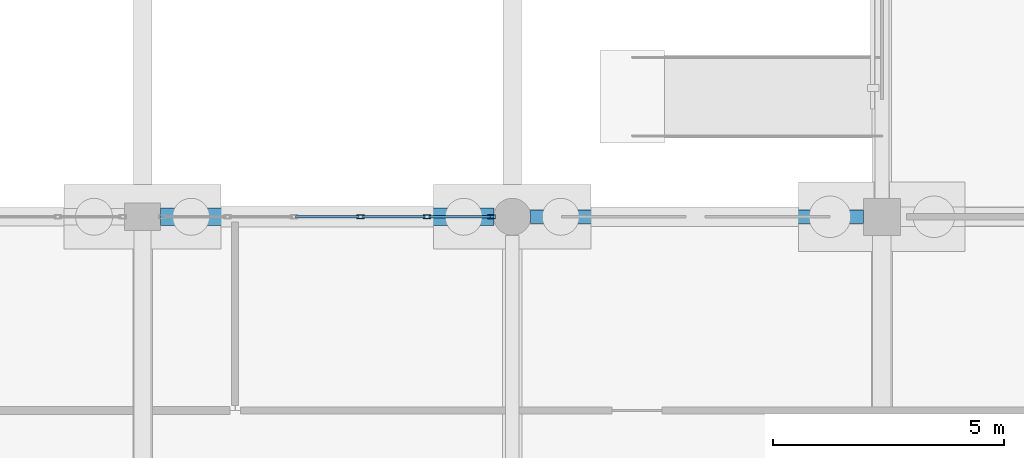
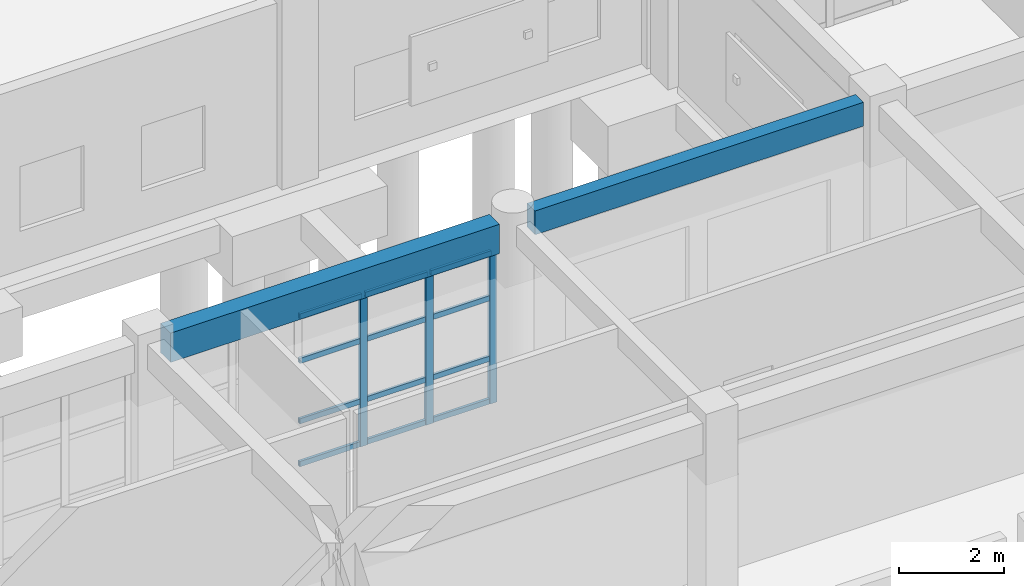
# One storey, part 51 of 166: 15 members, 2 beams, 1 element without a shape of its own.
"""IFC4 building model written with IfcOpenShell, lengths in metres."""

import ifcopenshell
import ifcopenshell.guid

model = None  # the IFC model being written
_history = None  # IfcOwnerHistory: only IFC2X3 demands one
_inside = {}  # id of a spatial element -> (the spatial element, [elements in it])
_under = {}  # id of a project, library or spatial element -> (it, [spatial elements below it])
_declared = {}  # id of a project -> (the project, [libraries it declares])
_typed = {}  # id of a type object -> (the type object, [elements of that type])
_made_of = {}  # id of a material, layer set ... -> (it, [elements and type objects made of it])


def new_model(schema):
    """Start an empty IFC model of exactly this schema.

    Asked for "IFC4X3", IfcOpenShell would pick the latest addendum, in which some entities
    have other attributes; the version numbers below select the first issue.
    IFC2X3 requires an IfcOwnerHistory on every rooted entity: one is made here for all.
    """
    global model, _history
    if schema == "IFC4X3":
        model = ifcopenshell.file(schema_version=(4, 3, 0, 0))
    else:
        model = ifcopenshell.file(schema=schema)
    _inside.clear()
    _under.clear()
    _declared.clear()
    _typed.clear()
    _made_of.clear()
    _history = None
    if model.schema == "IFC2X3":
        org = make("IfcOrganization", Name="unknown")
        user = make(
            "IfcPersonAndOrganization",
            ThePerson=make("IfcPerson", FamilyName="unknown"),
            TheOrganization=org,
        )
        app = make(
            "IfcApplication",
            ApplicationDeveloper=org,
            Version="unknown",
            ApplicationFullName="unknown",
            ApplicationIdentifier="unknown",
        )
        _history = make(
            "IfcOwnerHistory",
            OwningUser=user,
            OwningApplication=app,
            ChangeAction="ADDED",
            CreationDate=0,
        )
    return model


def make(cls, **values):
    """One entity of the class cls with the attributes given. An attribute that is None is left unset."""
    return model.create_entity(
        cls, **{name: value for name, value in values.items() if value is not None}
    )


def rooted(cls, **values):
    """An entity with a GlobalId (a new one), such as an element, a storey or a relation."""
    return make(cls, GlobalId=ifcopenshell.guid.new(), OwnerHistory=_history, **values)


def si_unit(unit_type, name, prefix=None):
    """IfcSIUnit, for example si_unit("LENGTHUNIT", "METRE", prefix="MILLI")."""
    return make("IfcSIUnit", UnitType=unit_type, Prefix=prefix, Name=name)


def assignment(units):
    """IfcUnitAssignment: the units of a project."""
    return None if units is None else make("IfcUnitAssignment", Units=units)


def point(xyz):
    """IfcCartesianPoint."""
    return None if xyz is None else make("IfcCartesianPoint", Coordinates=xyz)


def direction(xyz):
    """IfcDirection."""
    return None if xyz is None else make("IfcDirection", DirectionRatios=xyz)


def frame(location, z_axis=None, x_axis=None):
    """IfcAxis2Placement3D, a coordinate frame: its origin and axes. An axis left out is left unset."""
    return make(
        "IfcAxis2Placement3D",
        Location=point(location),
        Axis=direction(z_axis),
        RefDirection=direction(x_axis),
    )


def frame_2d(location, x_axis=None):
    """IfcAxis2Placement2D, a coordinate frame in the plane: its origin and x axis."""
    return make(
        "IfcAxis2Placement2D", Location=point(location), RefDirection=direction(x_axis)
    )


def origin():
    """The frame at (0, 0, 0) with its axes left unset."""
    return frame((0.0, 0.0, 0.0))


def origin_2d():
    """The frame at (0, 0) in the plane with its x axis left unset."""
    return frame_2d((0.0, 0.0))


def place(relative_to, where):
    """IfcLocalPlacement: puts the frame where relative to a parent placement (None: the world)."""
    return make(
        "IfcLocalPlacement", PlacementRelTo=relative_to, RelativePlacement=where
    )


def context(
    kind, dimensions, precision=None, world=None, true_north=None, identifier=None
):
    """IfcGeometricRepresentationContext, for example the 3D "Model" context."""
    return make(
        "IfcGeometricRepresentationContext",
        ContextIdentifier=identifier,
        ContextType=kind,
        CoordinateSpaceDimension=dimensions,
        Precision=precision,
        WorldCoordinateSystem=world,
        TrueNorth=true_north,
    )


def subcontext(parent, identifier, kind, view, scale=None):
    """IfcGeometricRepresentationSubContext, for example "Body" below "Model"."""
    return make(
        "IfcGeometricRepresentationSubContext",
        ContextIdentifier=identifier,
        ContextType=kind,
        ParentContext=parent,
        TargetScale=scale,
        TargetView=view,
    )


def project(units=None, contexts=None):
    """IfcProject with its units and contexts."""
    return rooted(
        "IfcProject",
        Name="project",
        RepresentationContexts=contexts,
        UnitsInContext=assignment(units),
    )


def spatial(cls, under=None, at=None, **own):
    """A site, building, storey or space (cls), placed at a placement, below another one or the project."""
    s = rooted(cls, ObjectPlacement=at, **own)
    if under is not None:
        _under.setdefault(under.id(), (under, []))[1].append(s)
    return s


def profile(cls, at=None, kind="AREA", **sizes):
    """A parametric profile (cls). Its sizes go by their IFC names, for example OverallWidth=200.0."""
    return make(cls, ProfileType=kind, Position=at, **sizes)


def rectangle(**sizes):
    """IfcRectangleProfileDef."""
    return profile("IfcRectangleProfileDef", **sizes)


def hollow_rectangle(**sizes):
    """IfcRectangleHollowProfileDef."""
    return profile("IfcRectangleHollowProfileDef", **sizes)


def extrude(swept, where, along, depth):
    """IfcExtrudedAreaSolid: the profile swept, set in the frame where, extruded along a direction by depth."""
    return make(
        "IfcExtrudedAreaSolid",
        SweptArea=swept,
        Position=where,
        ExtrudedDirection=direction(along),
        Depth=depth,
    )


def shape(context_of_items, identifier, shape_type, items):
    """IfcShapeRepresentation: the items that make up one representation, for example the "Body"."""
    return make(
        "IfcShapeRepresentation",
        ContextOfItems=context_of_items,
        RepresentationIdentifier=identifier,
        RepresentationType=shape_type,
        Items=items,
    )


def material(Name=None, Category=None):
    """IfcMaterial."""
    return make("IfcMaterial", Name=Name, Category=Category)


def material_profile(
    of_material, cross_section, Name=None, Category=None, Priority=None
):
    """IfcMaterialProfile: a cross section and its material."""
    return make(
        "IfcMaterialProfile",
        Name=Name,
        Material=of_material,
        Profile=cross_section,
        Priority=Priority,
        Category=Category,
    )


def profile_set(profiles, Name=None, composite=None):
    """IfcMaterialProfileSet."""
    return make(
        "IfcMaterialProfileSet",
        Name=Name,
        MaterialProfiles=profiles,
        CompositeProfile=composite,
    )


def made_of(thing, what):
    """Note that an element or type object is made of a material, layer set ...; save() writes the relation."""
    if what is not None:
        _made_of.setdefault(what.id(), (what, []))[1].append(thing)
    return thing


def type_object(cls, material=None, **own):
    """A type object (cls), such as IfcWallType, which elements share."""
    return made_of(rooted(cls, **own), material)


def element(
    cls,
    number,
    at=None,
    inside=None,
    cuts=None,
    type_object=None,
    material=None,
    context=None,
    identifier="Body",
    shape_type=None,
    held_by="IfcProductDefinitionShape",
    body=None,
    shapes=None,
    **own,
):
    """One element of the class cls, such as IfcWall. Its Tag is "e" and its number.

    at: its placement. inside: the storey or other place that contains it. cuts: it is an
    opening in that element (IfcRelVoidsElement). A single representation is given by context,
    identifier, shape_type and body (its items); several are given by shapes. held_by: the class
    of the entity that holds the representations. save() writes the other relations.
    """
    e = rooted(cls, Tag="e%d" % number, ObjectPlacement=at, **own)
    if body is not None:
        shapes = [shape(context, identifier, shape_type, body)]
    if shapes is not None:
        e.Representation = make(held_by, Representations=shapes)
    if inside is not None:
        _inside.setdefault(inside.id(), (inside, []))[1].append(e)
    if cuts is not None:
        rooted(
            "IfcRelVoidsElement", RelatingBuildingElement=cuts, RelatedOpeningElement=e
        )
    if type_object is not None:
        _typed.setdefault(type_object.id(), (type_object, []))[1].append(e)
    return made_of(e, material)


def aggregate(whole, parts):
    """IfcRelAggregates: a whole, such as a stair, and the parts it consists of."""
    return rooted("IfcRelAggregates", RelatingObject=whole, RelatedObjects=parts)


def save(model, path):
    """Write the relations noted so far, then the file.

    IfcRelAggregates (storeys below a building ...), IfcRelContainedInSpatialStructure (elements
    in a storey), IfcRelDefinesByType, IfcRelAssociatesMaterial and IfcRelDeclares: one each for
    every whole, place, type object, material and project.
    """
    for whole, parts in _under.values():
        aggregate(whole, parts)
    for where, things in _inside.values():
        rooted(
            "IfcRelContainedInSpatialStructure",
            RelatedElements=things,
            RelatingStructure=where,
        )
    for kind, things in _typed.values():
        rooted("IfcRelDefinesByType", RelatedObjects=things, RelatingType=kind)
    for what, things in _made_of.values():
        rooted("IfcRelAssociatesMaterial", RelatedObjects=things, RelatingMaterial=what)
    for by, libraries in _declared.values():
        rooted("IfcRelDeclares", RelatingContext=by, RelatedDefinitions=libraries)
    model.write(path)


model = new_model("IFC4")

# Units and contexts
model_context = context("Model", 3, precision=1e-05, world=origin(), true_north=direction((0.0, 1.0)))
body_context = subcontext(model_context, "Body", "Model", "MODEL_VIEW")
ifc_project = project(units=[si_unit("LENGTHUNIT", "METRE"), si_unit("AREAUNIT", "SQUARE_METRE"), si_unit("VOLUMEUNIT", "CUBIC_METRE"), si_unit("PLANEANGLEUNIT", "RADIAN"), si_unit("MASSUNIT", "GRAM", prefix="KILO")], contexts=[model_context])

# Site, building, storey
site_placement = place(None, origin())
site = spatial("IfcSite", under=ifc_project, at=site_placement, CompositionType="ELEMENT")
building_placement = place(site_placement, origin())
building = spatial("IfcBuilding", under=site, at=building_placement, Name="Kharva Crest Polytechnic", CompositionType="ELEMENT")
storey_placement = place(building_placement, origin())
storey = spatial("IfcBuildingStorey", under=building, at=storey_placement, Name="L00", CompositionType="ELEMENT", Elevation=0.0)

# Curtain wall, members
ifc_material_1 = material(Name="Tempered insulated glass", Category="glass")
curtain_wall_type = type_object("IfcCurtainWallType", Name="CW-SYS-COURT", PredefinedType="USERDEFINED", material=ifc_material_1)
curtain_wall_placement = place(storey_placement, origin())
curtain_wall = element("IfcCurtainWall", 1, at=curtain_wall_placement, inside=storey, type_object=curtain_wall_type, Name="L00 Glazed Curtain Wall CW-003", ObjectType="CURTAIN WALL", PredefinedType="USERDEFINED")
ifc_material_2 = material(Name="Steel S355", Category="steel")
ifc_material_profile_1 = material_profile(ifc_material_2, hollow_rectangle(XDim=0.080078125, YDim=0.159912109375, WallThickness=0.0048828125, at=origin_2d()), Name="RHS 160X80X5.0")
ifc_profile_set_1 = profile_set([ifc_material_profile_1], Name="Steel S355")
member_type_1 = type_object("IfcMemberType", Name="CWM-RHS160X80", PredefinedType="MULLION", material=ifc_profile_set_1)
member_1_placement = place(storey_placement, frame((23.554931640625, 30.39990234375, 0.0), z_axis=(0.0, 0.0, 1.0), x_axis=(0.0, -1.0, 0.0)))
member_1 = element("IfcMember", 2, at=member_1_placement, type_object=member_type_1, Name="CW-003 mullion 1", PredefinedType="MULLION", context=body_context, shape_type="SweptSolid", body=[
    extrude(hollow_rectangle(XDim=0.080078125, YDim=0.159912109375, WallThickness=0.0048828125, at=origin_2d()), origin(), (0.0, 0.0, 1.0), 3.5400390625),
])
member_2_placement = place(storey_placement, frame((22.155029296875, 30.39990234375, 0.0), z_axis=(0.0, 0.0, 1.0), x_axis=(0.0, -1.0, 0.0)))
member_2 = element("IfcMember", 3, at=member_2_placement, type_object=member_type_1, Name="CW-003 mullion 2", PredefinedType="MULLION", context=body_context, shape_type="SweptSolid", body=[
    extrude(hollow_rectangle(XDim=0.080078125, YDim=0.159912109375, WallThickness=0.0048828125, at=origin_2d()), origin(), (0.0, 0.0, 1.0), 3.5400390625),
])
member_3_placement = place(storey_placement, frame((20.715087890625, 30.39990234375, 0.0), z_axis=(0.0, 0.0, 1.0), x_axis=(0.0, -1.0, 0.0)))
member_3 = element("IfcMember", 4, at=member_3_placement, type_object=member_type_1, Name="CW-003 mullion 3", PredefinedType="MULLION", context=body_context, shape_type="SweptSolid", body=[
    extrude(hollow_rectangle(XDim=0.080078125, YDim=0.159912109375, WallThickness=0.0048828125, at=origin_2d()), origin(), (0.0, 0.0, 1.0), 3.5400390625),
])
ifc_material_profile_2 = material_profile(ifc_material_2, hollow_rectangle(XDim=0.06005859375, YDim=0.1201171875, WallThickness=0.00390625, at=origin_2d()), Name="RHS 120X60X4.0")
ifc_profile_set_2 = profile_set([ifc_material_profile_2], Name="Steel S355")
member_type_2 = type_object("IfcMemberType", Name="CWT-RHS120X60", PredefinedType="USERDEFINED", material=ifc_profile_set_2)
member_4_placement = place(storey_placement, frame((23.514892578125, 30.39990234375, 0.06005859375), z_axis=(-1.0, 0.0, 0.0), x_axis=(0.0, -1.0, 0.0)))
member_4 = element("IfcMember", 5, at=member_4_placement, type_object=member_type_2, Name="CW-003 transom 1.1", ObjectType="TRANSOM", PredefinedType="USERDEFINED", context=body_context, shape_type="SweptSolid", body=[
    extrude(hollow_rectangle(XDim=0.06005859375, YDim=0.1201171875, WallThickness=0.00390625, at=origin_2d()), origin(), (0.0, 0.0, 1.0), 1.31982421875),
])
member_5_placement = place(storey_placement, frame((23.514892578125, 30.39990234375, 1.050048828125), z_axis=(-1.0, 0.0, 0.0), x_axis=(0.0, -1.0, 0.0)))
member_5 = element("IfcMember", 6, at=member_5_placement, type_object=member_type_2, Name="CW-003 transom 1.2", ObjectType="TRANSOM", PredefinedType="USERDEFINED", context=body_context, shape_type="SweptSolid", body=[
    extrude(hollow_rectangle(XDim=0.06005859375, YDim=0.1201171875, WallThickness=0.00390625, at=origin_2d()), origin(), (0.0, 0.0, 1.0), 1.31982421875),
])
member_6_placement = place(storey_placement, frame((23.514892578125, 30.39990234375, 2.449951171875), z_axis=(-1.0, 0.0, 0.0), x_axis=(0.0, -1.0, 0.0)))
member_6 = element("IfcMember", 7, at=member_6_placement, type_object=member_type_2, Name="CW-003 transom 1.3", ObjectType="TRANSOM", PredefinedType="USERDEFINED", context=body_context, shape_type="SweptSolid", body=[
    extrude(hollow_rectangle(XDim=0.06005859375, YDim=0.1201171875, WallThickness=0.00390625, at=origin_2d()), origin(), (0.0, 0.0, 1.0), 1.31982421875),
])
member_7_placement = place(storey_placement, frame((23.514892578125, 30.39990234375, 3.47998046875), z_axis=(-1.0, 0.0, 0.0), x_axis=(0.0, -1.0, 0.0)))
member_7 = element("IfcMember", 8, at=member_7_placement, type_object=member_type_2, Name="CW-003 transom 1.4", ObjectType="TRANSOM", PredefinedType="USERDEFINED", context=body_context, shape_type="SweptSolid", body=[
    extrude(hollow_rectangle(XDim=0.06005859375, YDim=0.1201171875, WallThickness=0.00390625, at=origin_2d()), origin(), (0.0, 0.0, 1.0), 1.31982421875),
])
member_8_placement = place(storey_placement, frame((22.114990234375, 30.39990234375, 0.06005859375), z_axis=(-1.0, 0.0, 0.0), x_axis=(0.0, -1.0, 0.0)))
member_8 = element("IfcMember", 9, at=member_8_placement, type_object=member_type_2, Name="CW-003 transom 2.1", ObjectType="TRANSOM", PredefinedType="USERDEFINED", context=body_context, shape_type="SweptSolid", body=[
    extrude(hollow_rectangle(XDim=0.06005859375, YDim=0.1201171875, WallThickness=0.00390625, at=origin_2d()), origin(), (0.0, 0.0, 1.0), 1.360107421875),
])
member_9_placement = place(storey_placement, frame((22.114990234375, 30.39990234375, 1.050048828125), z_axis=(-1.0, 0.0, 0.0), x_axis=(0.0, -1.0, 0.0)))
member_9 = element("IfcMember", 10, at=member_9_placement, type_object=member_type_2, Name="CW-003 transom 2.2", ObjectType="TRANSOM", PredefinedType="USERDEFINED", context=body_context, shape_type="SweptSolid", body=[
    extrude(hollow_rectangle(XDim=0.06005859375, YDim=0.1201171875, WallThickness=0.00390625, at=origin_2d()), origin(), (0.0, 0.0, 1.0), 1.360107421875),
])
member_10_placement = place(storey_placement, frame((22.114990234375, 30.39990234375, 2.449951171875), z_axis=(-1.0, 0.0, 0.0), x_axis=(0.0, -1.0, 0.0)))
member_10 = element("IfcMember", 11, at=member_10_placement, type_object=member_type_2, Name="CW-003 transom 2.3", ObjectType="TRANSOM", PredefinedType="USERDEFINED", context=body_context, shape_type="SweptSolid", body=[
    extrude(hollow_rectangle(XDim=0.06005859375, YDim=0.1201171875, WallThickness=0.00390625, at=origin_2d()), origin(), (0.0, 0.0, 1.0), 1.360107421875),
])
member_11_placement = place(storey_placement, frame((22.114990234375, 30.39990234375, 3.47998046875), z_axis=(-1.0, 0.0, 0.0), x_axis=(0.0, -1.0, 0.0)))
member_11 = element("IfcMember", 12, at=member_11_placement, type_object=member_type_2, Name="CW-003 transom 2.4", ObjectType="TRANSOM", PredefinedType="USERDEFINED", context=body_context, shape_type="SweptSolid", body=[
    extrude(hollow_rectangle(XDim=0.06005859375, YDim=0.1201171875, WallThickness=0.00390625, at=origin_2d()), origin(), (0.0, 0.0, 1.0), 1.360107421875),
])
member_12_placement = place(storey_placement, frame((20.675048828125, 30.39990234375, 0.06005859375), z_axis=(-1.0, 0.0, 0.0), x_axis=(0.0, -1.0, 0.0)))
member_12 = element("IfcMember", 13, at=member_12_placement, type_object=member_type_2, Name="CW-003 transom 3.1", ObjectType="TRANSOM", PredefinedType="USERDEFINED", context=body_context, shape_type="SweptSolid", body=[
    extrude(hollow_rectangle(XDim=0.06005859375, YDim=0.1201171875, WallThickness=0.00390625, at=origin_2d()), origin(), (0.0, 0.0, 1.0), 1.360107421875),
])
member_13_placement = place(storey_placement, frame((20.675048828125, 30.39990234375, 1.050048828125), z_axis=(-1.0, 0.0, 0.0), x_axis=(0.0, -1.0, 0.0)))
member_13 = element("IfcMember", 14, at=member_13_placement, type_object=member_type_2, Name="CW-003 transom 3.2", ObjectType="TRANSOM", PredefinedType="USERDEFINED", context=body_context, shape_type="SweptSolid", body=[
    extrude(hollow_rectangle(XDim=0.06005859375, YDim=0.1201171875, WallThickness=0.00390625, at=origin_2d()), origin(), (0.0, 0.0, 1.0), 1.360107421875),
])
member_14_placement = place(storey_placement, frame((20.675048828125, 30.39990234375, 2.449951171875), z_axis=(-1.0, 0.0, 0.0), x_axis=(0.0, -1.0, 0.0)))
member_14 = element("IfcMember", 15, at=member_14_placement, type_object=member_type_2, Name="CW-003 transom 3.3", ObjectType="TRANSOM", PredefinedType="USERDEFINED", context=body_context, shape_type="SweptSolid", body=[
    extrude(hollow_rectangle(XDim=0.06005859375, YDim=0.1201171875, WallThickness=0.00390625, at=origin_2d()), origin(), (0.0, 0.0, 1.0), 1.360107421875),
])
member_15_placement = place(storey_placement, frame((20.675048828125, 30.39990234375, 3.47998046875), z_axis=(-1.0, 0.0, 0.0), x_axis=(0.0, -1.0, 0.0)))
member_15 = element("IfcMember", 16, at=member_15_placement, type_object=member_type_2, Name="CW-003 transom 3.4", ObjectType="TRANSOM", PredefinedType="USERDEFINED", context=body_context, shape_type="SweptSolid", body=[
    extrude(hollow_rectangle(XDim=0.06005859375, YDim=0.1201171875, WallThickness=0.00390625, at=origin_2d()), origin(), (0.0, 0.0, 1.0), 1.360107421875),
])
aggregate(curtain_wall, [member_1, member_2, member_3, member_4, member_5, member_6, member_7, member_8, member_9, member_10, member_11, member_12, member_13, member_14, member_15])

# Beams
ifc_material_3 = material(Name="Concrete C35/45", Category="concrete")
ifc_material_profile_3 = material_profile(ifc_material_3, rectangle(XDim=0.300048828125, YDim=0.550048828125, at=origin_2d()), Name="RECT 300 X 550")
ifc_profile_set_3 = profile_set([ifc_material_profile_3], Name="Concrete C35/45")
beam_type_1 = type_object("IfcBeamType", Name="SP-RC-300X550", PredefinedType="SPANDREL", material=ifc_profile_set_3)
beam_1_placement = place(storey_placement, frame((24.39990234375, 30.39990234375, 3.945068359375), z_axis=(1.0, 0.0, 0.0), x_axis=(0.0, 1.0, 0.0)))
element("IfcBeam", 17, at=beam_1_placement, inside=storey, type_object=beam_type_1, Name="L00 Beam E/4-5", PredefinedType="SPANDREL", context=body_context, shape_type="SweptSolid", body=[
    extrude(rectangle(XDim=0.300048828125, YDim=0.550048828125, at=origin_2d()), origin(), (0.0, 0.0, 1.0), 7.2001953125),
])
ifc_material_profile_4 = material_profile(ifc_material_3, rectangle(XDim=0.3798828125, YDim=0.679931640625, at=origin_2d()), Name="RECT 380 X 680")
ifc_profile_set_4 = profile_set([ifc_material_profile_4], Name="Concrete C35/45")
beam_type_2 = type_object("IfcBeamType", Name="SP-RC-380X680", PredefinedType="SPANDREL", material=ifc_profile_set_4)
beam_2_placement = place(storey_placement, frame((16.389892578125, 30.39990234375, 3.8798828125), z_axis=(1.0, 0.0, 0.0), x_axis=(0.0, 1.0, 0.0)))
element("IfcBeam", 18, at=beam_2_placement, inside=storey, type_object=beam_type_2, Name="L00 Beam E/3-4", PredefinedType="SPANDREL", context=body_context, shape_type="SweptSolid", body=[
    extrude(rectangle(XDim=0.3798828125, YDim=0.679931640625, at=origin_2d()), origin(), (0.0, 0.0, 1.0), 7.210205078125),
])

save(model, "model.ifc")
